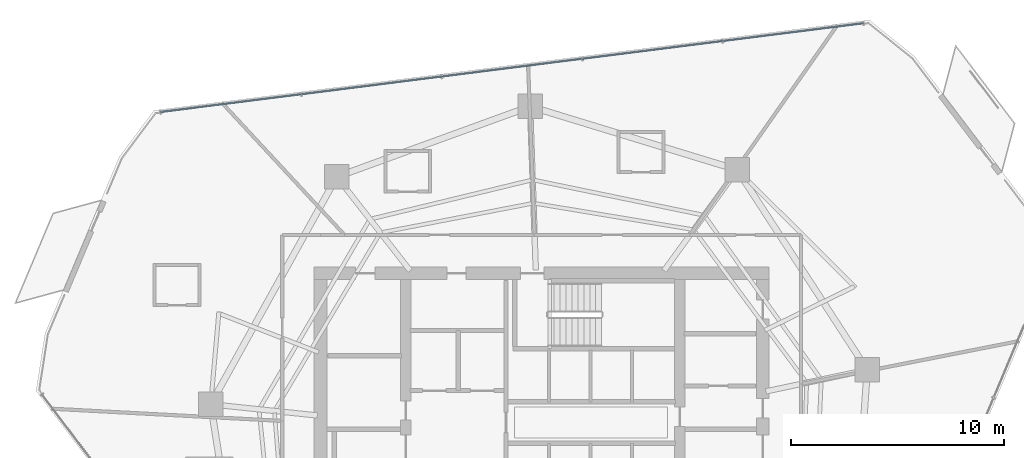
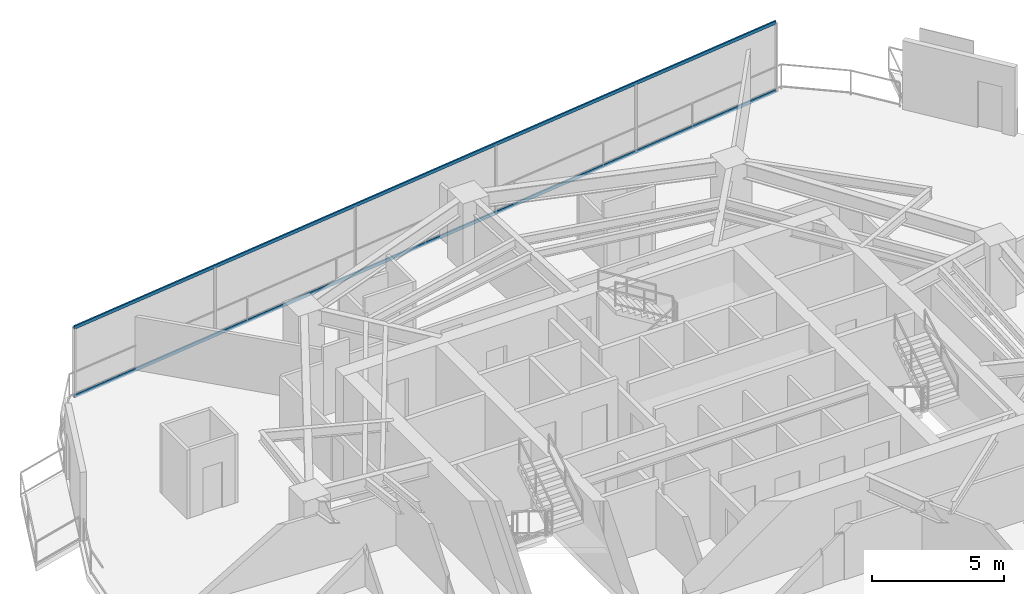
# One storey, part 19 of 30: 2 members, 1 element without a shape of its own.
"""IFC4 building model written with IfcOpenShell, lengths in metres."""

from ifc_helpers import new_model, si_unit, direction, frame, origin, origin_2d, place, context, subcontext, project, spatial, hollow_rectangle, extrude, material, layer, layer_set, material_profile, profile_set, type_object, element, aggregate, save


model = new_model("IFC4")

# Units and contexts
model_context = context("Model", 3, precision=1e-05, world=origin(), true_north=direction((0.0, 1.0)))
body_context = subcontext(model_context, "Body", "Model", "MODEL_VIEW")
ifc_project = project(units=[si_unit("LENGTHUNIT", "METRE"), si_unit("AREAUNIT", "SQUARE_METRE"), si_unit("VOLUMEUNIT", "CUBIC_METRE"), si_unit("PLANEANGLEUNIT", "RADIAN"), si_unit("MASSUNIT", "GRAM", prefix="KILO")], contexts=[model_context])

# Site, building, storey
site_placement = place(None, origin())
site = spatial("IfcSite", under=ifc_project, at=site_placement, CompositionType="ELEMENT")
building_placement = place(site_placement, origin())
building = spatial("IfcBuilding", under=site, at=building_placement, Name="Qarnah Convention Tower", CompositionType="ELEMENT")
storey_placement = place(building_placement, frame((0.0, 0.0, 93.60009765625)))
storey = spatial("IfcBuildingStorey", under=building, at=storey_placement, Name="L24", CompositionType="ELEMENT", Elevation=93.60009765625)

# Curtain wall, members
ifc_material_1 = material(Name="Tempered Low-E dark glass", Category="glass")
ifc_layer = layer(ifc_material_1, 0.169921875)
ifc_layer_set = layer_set([ifc_layer], Name="Tempered Low-E dark glass")
curtain_wall_type = type_object("IfcCurtainWallType", Name="CWS-02", PredefinedType="NOTDEFINED", material=ifc_layer_set)
curtain_wall_placement = place(storey_placement, origin())
curtain_wall = element("IfcCurtainWall", 1, at=curtain_wall_placement, inside=storey, type_object=curtain_wall_type, Name="L24 unitised curtain wall CW-L24-F1", PredefinedType="NOTDEFINED")
ifc_material_2 = material(Name="Black anodised aluminium", Category="aluminium")
ifc_material_profile = material_profile(ifc_material_2, hollow_rectangle(XDim=0.06494140625, YDim=0.14990234375, WallThickness=0.00390625, at=origin_2d()), Name="TRN-65X150")
ifc_profile_set = profile_set([ifc_material_profile], Name="Black anodised aluminium")
member_type = type_object("IfcMemberType", Name="TRN-T2", PredefinedType="USERDEFINED", material=ifc_profile_set)
member_1_placement = place(storey_placement, frame((19.281982421875, 41.77587890625, 0.0), z_axis=(0.992119188316, 0.125297710175, 0.0), x_axis=(-0.125297710175, 0.992119188316, 0.0)))
member_1 = element("IfcMember", 2, at=member_1_placement, type_object=member_type, Name="CW-L24-F1 transom 1", ObjectType="TRANSOM", PredefinedType="USERDEFINED", context=body_context, shape_type="SweptSolid", body=[
    extrude(hollow_rectangle(XDim=0.06494140625, YDim=0.14990234375, WallThickness=0.00390625, at=origin_2d()), origin(), (0.0, 0.0, 1.0), 33.305419921875),
])
member_2_placement = place(storey_placement, frame((19.281982421875, 41.77587890625, 3.169921875), z_axis=(0.992119188316, 0.125297710175, 0.0), x_axis=(-0.125297710175, 0.992119188316, 0.0)))
member_2 = element("IfcMember", 3, at=member_2_placement, type_object=member_type, Name="CW-L24-F1 transom 2", ObjectType="TRANSOM", PredefinedType="USERDEFINED", context=body_context, shape_type="SweptSolid", body=[
    extrude(hollow_rectangle(XDim=0.06494140625, YDim=0.14990234375, WallThickness=0.00390625, at=origin_2d()), origin(), (0.0, 0.0, 1.0), 33.305419921875),
])
aggregate(curtain_wall, [member_1, member_2])

save(model, "model.ifc")
